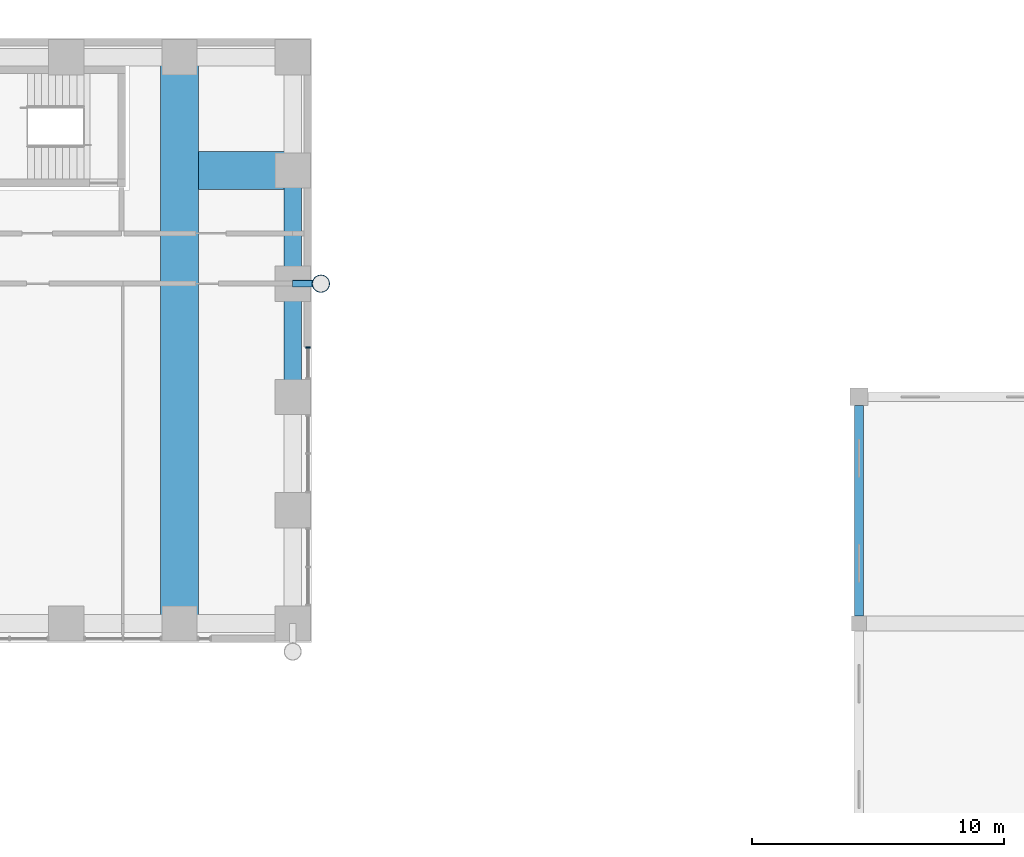
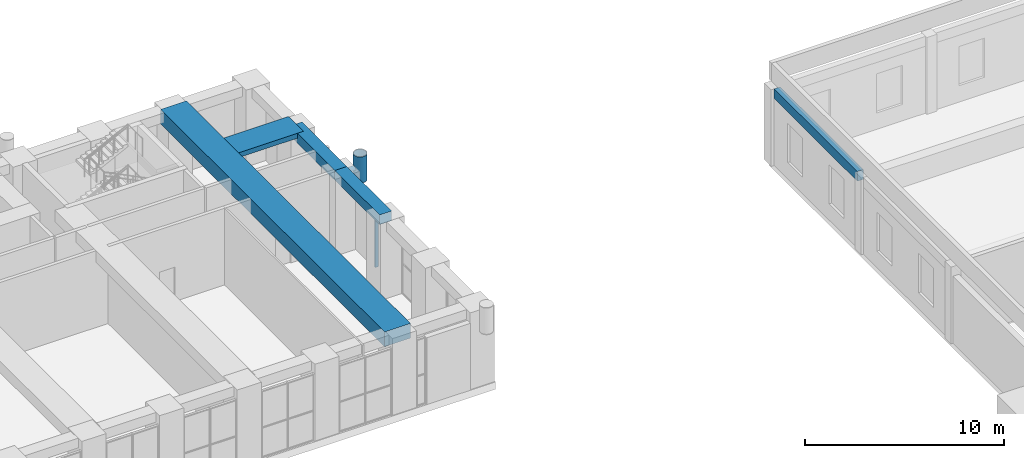
# One storey, part 9 of 35: 5 beams, 3 members, 1 element without a shape of its own.
"""IFC4 building model written with IfcOpenShell, lengths in metres."""

from ifc_helpers import new_model, si_unit, direction, frame, origin, origin_2d, place, context, subcontext, project, spatial, rectangle, hollow_circle, extrude, material, material_profile, profile_set, type_object, element, aggregate, save


model = new_model("IFC4")

# Units and contexts
model_context = context("Model", 3, precision=1e-05, world=origin(), true_north=direction((0.0, 1.0)))
body_context = subcontext(model_context, "Body", "Model", "MODEL_VIEW")
ifc_project = project(units=[si_unit("LENGTHUNIT", "METRE"), si_unit("AREAUNIT", "SQUARE_METRE"), si_unit("VOLUMEUNIT", "CUBIC_METRE"), si_unit("PLANEANGLEUNIT", "RADIAN"), si_unit("MASSUNIT", "GRAM", prefix="KILO")], contexts=[model_context])

# Site, building, storey
site_placement = place(None, origin())
site = spatial("IfcSite", under=ifc_project, at=site_placement, CompositionType="ELEMENT")
building_placement = place(site_placement, origin())
building = spatial("IfcBuilding", under=site, at=building_placement, Name="Firuza Court", CompositionType="ELEMENT")
storey_placement = place(building_placement, frame((0.0, 0.0, 24.0)))
storey = spatial("IfcBuildingStorey", under=building, at=storey_placement, Name="L04", CompositionType="ELEMENT", Elevation=24.0)

# Beams
ifc_material_1 = material(Name="Concrete C40/50", Category="concrete")
ifc_material_profile_1 = material_profile(ifc_material_1, rectangle(XDim=1.5, YDim=0.300048828125, at=origin_2d()), Name="RC 1500x300")
ifc_profile_set_1 = profile_set([ifc_material_profile_1], Name="Concrete C40/50")
beam_type_1 = type_object("IfcBeamType", Name="Band beam RC 1500x300 C40/50", PredefinedType="BEAM", material=ifc_profile_set_1)
beam_1_placement = place(storey_placement, frame((67.5, 54.0, 4.550048828125), z_axis=(-1.0, 0.0, 0.0), x_axis=(0.0, -1.0, 0.0)))
element("IfcBeam", 1, at=beam_1_placement, inside=storey, type_object=beam_type_1, Name="Band beam FB6 level L05", PredefinedType="BEAM", context=body_context, shape_type="SweptSolid", body=[
    extrude(rectangle(XDim=1.5, YDim=0.300048828125, at=origin_2d()), origin(), (0.0, 0.0, 1.0), 3.75),
])
ifc_material_2 = material(Name="Concrete C40/50", Category="concrete")
ifc_material_profile_2 = material_profile(ifc_material_2, rectangle(XDim=1.5, YDim=0.89990234375, at=origin_2d()), Name="RC 1500x900")
ifc_profile_set_2 = profile_set([ifc_material_profile_2], Name="Concrete C40/50")
beam_type_2 = type_object("IfcBeamType", Name="Band beam RC 1500x900 C40/50", PredefinedType="BEAM", material=ifc_profile_set_2)
beam_2_placement = place(storey_placement, frame((63.0, 36.0, 4.25), z_axis=(0.0, 1.0, 0.0), x_axis=(-1.0, 0.0, 0.0)))
element("IfcBeam", 2, at=beam_2_placement, inside=storey, type_object=beam_type_2, Name="Band beam FB2 level L05", PredefinedType="BEAM", context=body_context, shape_type="SweptSolid", body=[
    extrude(rectangle(XDim=1.5, YDim=0.89990234375, at=origin_2d()), origin(), (0.0, 0.0, 1.0), 22.5),
])

# Members
ifc_material_3 = material(Name="Steel S355", Category="steel")
ifc_material_profile_3 = material_profile(ifc_material_3, hollow_circle(Radius=0.35546875, WallThickness=0.030029296875, at=origin_2d()), Name="CHS 711x30")
ifc_profile_set_3 = profile_set([ifc_material_profile_3], Name="Steel S355")
member_type_1 = type_object("IfcMemberType", Name="Diagrid node CHS 711x30 S355", PredefinedType="USERDEFINED", material=ifc_profile_set_3)
member_1_placement = place(storey_placement, frame((68.6201171875, 49.5, 3.64990234375), z_axis=(0.0, 0.0, 1.0), x_axis=(1.0, 0.0, 0.0)))
element("IfcMember", 3, at=member_1_placement, inside=storey, type_object=member_type_1, Name="Diagrid node level L04", ObjectType="DIAGRID NODE", PredefinedType="USERDEFINED", context=body_context, shape_type="SweptSolid", body=[
    extrude(hollow_circle(Radius=0.35546875, WallThickness=0.030029296875, at=origin_2d()), origin(), (0.0, 0.0, 1.0), 1.60009765625),
])
ifc_material_4 = material(Name="Steel S355", Category="steel")
ifc_material_profile_4 = material_profile(ifc_material_4, hollow_circle(Radius=0.136474609375, WallThickness=0.012451171875, at=origin_2d()), Name="CHS 273x12.5")
ifc_profile_set_4 = profile_set([ifc_material_profile_4], Name="Steel S355")
member_type_2 = type_object("IfcMemberType", Name="Diagrid tie CHS 273x12.5 S355", PredefinedType="STRUT", material=ifc_profile_set_4)
member_2_placement = place(storey_placement, frame((67.5, 49.5, 4.449951171875), z_axis=(1.0, 0.0, 0.0), x_axis=(0.0, 1.0, 0.0)))
element("IfcMember", 4, at=member_2_placement, inside=storey, type_object=member_type_2, Name="Diagrid tie level L05", PredefinedType="STRUT", context=body_context, shape_type="SweptSolid", body=[
    extrude(hollow_circle(Radius=0.136474609375, WallThickness=0.012451171875, at=origin_2d()), origin(), (0.0, 0.0, 1.0), 1.1201171875),
])

# Curtain wall, member
ifc_material_5 = material(Name="Aluminium curtain wall, triple clear glazing", Category="aluminium")
curtain_wall_type = type_object("IfcCurtainWallType", Name="Podium unitised curtain wall CW1", PredefinedType="NOTDEFINED", material=ifc_material_5)
curtain_wall_placement = place(storey_placement, origin())
curtain_wall = element("IfcCurtainWall", 5, at=curtain_wall_placement, inside=storey, type_object=curtain_wall_type, Name="Podium unitised curtain wall CW1 L04", PredefinedType="NOTDEFINED")
ifc_material_6 = material(Name="Aluminium EN AW-6060 T66", Category="aluminium")
ifc_material_profile_5 = material_profile(ifc_material_6, rectangle(XDim=0.179931640625, YDim=0.06005859375, at=origin_2d()), Name="Mullion 180 x 60 CW1")
ifc_profile_set_5 = profile_set([ifc_material_profile_5], Name="Aluminium EN AW-6060 T66")
member_type_3 = type_object("IfcMemberType", Name="Mullion 180 x 60 CW1", PredefinedType="MULLION", material=ifc_profile_set_5)
member_3_placement = place(storey_placement, frame((68.10009765625, 46.960693359375, 0.0), z_axis=(0.0, 0.0, 1.0), x_axis=(-1.0, 0.0, 0.0)))
member_3 = element("IfcMember", 6, at=member_3_placement, type_object=member_type_3, Name="CW1 mullion 2", PredefinedType="MULLION", context=body_context, shape_type="SweptSolid", body=[
    extrude(rectangle(XDim=0.179931640625, YDim=0.06005859375, at=origin_2d()), origin(), (0.0, 0.0, 1.0), 4.10009765625),
])
aggregate(curtain_wall, [member_3])

# Beams
ifc_material_7 = material(Name="Concrete C40/50", Category="concrete")
ifc_material_profile_6 = material_profile(ifc_material_7, rectangle(XDim=0.35009765625, YDim=0.60009765625, at=origin_2d()), Name="RC 350X600")
ifc_profile_set_6 = profile_set([ifc_material_profile_6], Name="Concrete C40/50")
beam_type_3 = type_object("IfcBeamType", Name="RC RING BEAM 350X600", PredefinedType="BEAM", material=ifc_profile_set_6)
beam_3_placement = place(storey_placement, frame((90.0, 36.300048828125, 4.39990234375), z_axis=(0.0, 1.0, 0.0), x_axis=(-1.0, 0.0, 0.0)))
element("IfcBeam", 7, at=beam_3_placement, inside=storey, type_object=beam_type_3, Name="Edge beam W4.1 L04", PredefinedType="BEAM", context=body_context, shape_type="SweptSolid", body=[
    extrude(rectangle(XDim=0.35009765625, YDim=0.60009765625, at=origin_2d()), origin(), (0.0, 0.0, 1.0), 8.349853515625),
])
ifc_material_8 = material(Name="Concrete C40/50", Category="concrete")
ifc_material_profile_7 = material_profile(ifc_material_8, rectangle(XDim=0.699951171875, YDim=0.60009765625, at=origin_2d()), Name="RC 700x600")
ifc_profile_set_7 = profile_set([ifc_material_profile_7], Name="Concrete C40/50")
beam_type_4 = type_object("IfcBeamType", Name="Spandrel beam RC 700x600 C40/50", PredefinedType="BEAM", material=ifc_profile_set_7)
for number, where, z_axis, x_axis, name in (
    (8, (67.5, 45.0, 4.39990234375), (0.0, 1.0, 0.0), (-1.0, 0.0, 0.0), "Spandrel beam SP10 level L05"),
    (9, (67.5, 49.5, 4.39990234375), (0.0, 1.0, 0.0), (-1.0, 0.0, 0.0), "Spandrel beam SP10 level L05"),
):
    element("IfcBeam", number, at=place(storey_placement, frame(where, z_axis=z_axis, x_axis=x_axis)), inside=storey, type_object=beam_type_4, Name=name, PredefinedType="BEAM", context=body_context, shape_type="SweptSolid", body=[
        extrude(rectangle(XDim=0.699951171875, YDim=0.60009765625, at=origin_2d()), origin(), (0.0, 0.0, 1.0), 4.5),
    ])

save(model, "model.ifc")
